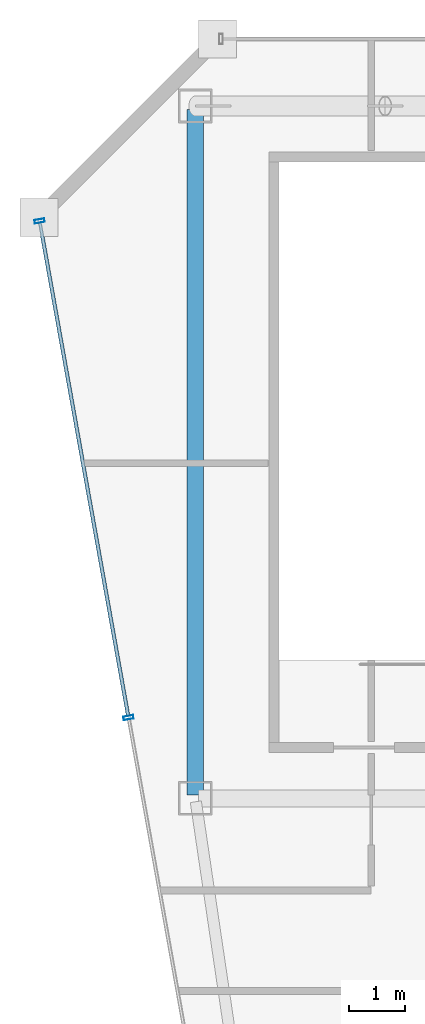
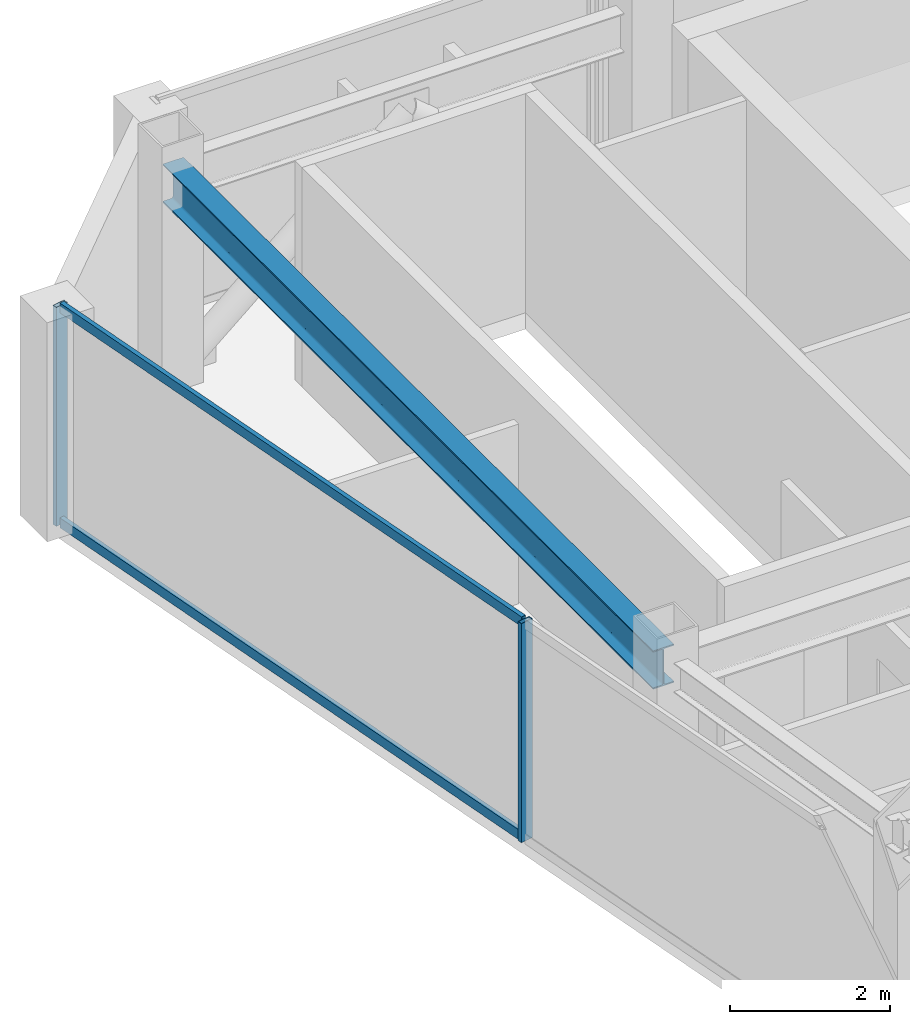
# One storey, part 8 of 30: 4 members, 1 beam, 1 element without a shape of its own.
"""IFC4 building model written with IfcOpenShell, lengths in metres."""

import ifcopenshell
import ifcopenshell.guid

model = None  # the IFC model being written
_history = None  # IfcOwnerHistory: only IFC2X3 demands one
_inside = {}  # id of a spatial element -> (the spatial element, [elements in it])
_under = {}  # id of a project, library or spatial element -> (it, [spatial elements below it])
_declared = {}  # id of a project -> (the project, [libraries it declares])
_typed = {}  # id of a type object -> (the type object, [elements of that type])
_made_of = {}  # id of a material, layer set ... -> (it, [elements and type objects made of it])


def new_model(schema):
    """Start an empty IFC model of exactly this schema.

    Asked for "IFC4X3", IfcOpenShell would pick the latest addendum, in which some entities
    have other attributes; the version numbers below select the first issue.
    IFC2X3 requires an IfcOwnerHistory on every rooted entity: one is made here for all.
    """
    global model, _history
    if schema == "IFC4X3":
        model = ifcopenshell.file(schema_version=(4, 3, 0, 0))
    else:
        model = ifcopenshell.file(schema=schema)
    _inside.clear()
    _under.clear()
    _declared.clear()
    _typed.clear()
    _made_of.clear()
    _history = None
    if model.schema == "IFC2X3":
        org = make("IfcOrganization", Name="unknown")
        user = make(
            "IfcPersonAndOrganization",
            ThePerson=make("IfcPerson", FamilyName="unknown"),
            TheOrganization=org,
        )
        app = make(
            "IfcApplication",
            ApplicationDeveloper=org,
            Version="unknown",
            ApplicationFullName="unknown",
            ApplicationIdentifier="unknown",
        )
        _history = make(
            "IfcOwnerHistory",
            OwningUser=user,
            OwningApplication=app,
            ChangeAction="ADDED",
            CreationDate=0,
        )
    return model


def make(cls, **values):
    """One entity of the class cls with the attributes given. An attribute that is None is left unset."""
    return model.create_entity(
        cls, **{name: value for name, value in values.items() if value is not None}
    )


def rooted(cls, **values):
    """An entity with a GlobalId (a new one), such as an element, a storey or a relation."""
    return make(cls, GlobalId=ifcopenshell.guid.new(), OwnerHistory=_history, **values)


def si_unit(unit_type, name, prefix=None):
    """IfcSIUnit, for example si_unit("LENGTHUNIT", "METRE", prefix="MILLI")."""
    return make("IfcSIUnit", UnitType=unit_type, Prefix=prefix, Name=name)


def assignment(units):
    """IfcUnitAssignment: the units of a project."""
    return None if units is None else make("IfcUnitAssignment", Units=units)


def point(xyz):
    """IfcCartesianPoint."""
    return None if xyz is None else make("IfcCartesianPoint", Coordinates=xyz)


def direction(xyz):
    """IfcDirection."""
    return None if xyz is None else make("IfcDirection", DirectionRatios=xyz)


def frame(location, z_axis=None, x_axis=None):
    """IfcAxis2Placement3D, a coordinate frame: its origin and axes. An axis left out is left unset."""
    return make(
        "IfcAxis2Placement3D",
        Location=point(location),
        Axis=direction(z_axis),
        RefDirection=direction(x_axis),
    )


def frame_2d(location, x_axis=None):
    """IfcAxis2Placement2D, a coordinate frame in the plane: its origin and x axis."""
    return make(
        "IfcAxis2Placement2D", Location=point(location), RefDirection=direction(x_axis)
    )


def origin():
    """The frame at (0, 0, 0) with its axes left unset."""
    return frame((0.0, 0.0, 0.0))


def origin_2d():
    """The frame at (0, 0) in the plane with its x axis left unset."""
    return frame_2d((0.0, 0.0))


def place(relative_to, where):
    """IfcLocalPlacement: puts the frame where relative to a parent placement (None: the world)."""
    return make(
        "IfcLocalPlacement", PlacementRelTo=relative_to, RelativePlacement=where
    )


def context(
    kind, dimensions, precision=None, world=None, true_north=None, identifier=None
):
    """IfcGeometricRepresentationContext, for example the 3D "Model" context."""
    return make(
        "IfcGeometricRepresentationContext",
        ContextIdentifier=identifier,
        ContextType=kind,
        CoordinateSpaceDimension=dimensions,
        Precision=precision,
        WorldCoordinateSystem=world,
        TrueNorth=true_north,
    )


def subcontext(parent, identifier, kind, view, scale=None):
    """IfcGeometricRepresentationSubContext, for example "Body" below "Model"."""
    return make(
        "IfcGeometricRepresentationSubContext",
        ContextIdentifier=identifier,
        ContextType=kind,
        ParentContext=parent,
        TargetScale=scale,
        TargetView=view,
    )


def project(units=None, contexts=None):
    """IfcProject with its units and contexts."""
    return rooted(
        "IfcProject",
        Name="project",
        RepresentationContexts=contexts,
        UnitsInContext=assignment(units),
    )


def spatial(cls, under=None, at=None, **own):
    """A site, building, storey or space (cls), placed at a placement, below another one or the project."""
    s = rooted(cls, ObjectPlacement=at, **own)
    if under is not None:
        _under.setdefault(under.id(), (under, []))[1].append(s)
    return s


def profile(cls, at=None, kind="AREA", **sizes):
    """A parametric profile (cls). Its sizes go by their IFC names, for example OverallWidth=200.0."""
    return make(cls, ProfileType=kind, Position=at, **sizes)


def hollow_rectangle(**sizes):
    """IfcRectangleHollowProfileDef."""
    return profile("IfcRectangleHollowProfileDef", **sizes)


def i_section(**sizes):
    """IfcIShapeProfileDef."""
    return profile("IfcIShapeProfileDef", **sizes)


def extrude(swept, where, along, depth):
    """IfcExtrudedAreaSolid: the profile swept, set in the frame where, extruded along a direction by depth."""
    return make(
        "IfcExtrudedAreaSolid",
        SweptArea=swept,
        Position=where,
        ExtrudedDirection=direction(along),
        Depth=depth,
    )


def shape(context_of_items, identifier, shape_type, items):
    """IfcShapeRepresentation: the items that make up one representation, for example the "Body"."""
    return make(
        "IfcShapeRepresentation",
        ContextOfItems=context_of_items,
        RepresentationIdentifier=identifier,
        RepresentationType=shape_type,
        Items=items,
    )


def material(Name=None, Category=None):
    """IfcMaterial."""
    return make("IfcMaterial", Name=Name, Category=Category)


def material_profile(
    of_material, cross_section, Name=None, Category=None, Priority=None
):
    """IfcMaterialProfile: a cross section and its material."""
    return make(
        "IfcMaterialProfile",
        Name=Name,
        Material=of_material,
        Profile=cross_section,
        Priority=Priority,
        Category=Category,
    )


def profile_set(profiles, Name=None, composite=None):
    """IfcMaterialProfileSet."""
    return make(
        "IfcMaterialProfileSet",
        Name=Name,
        MaterialProfiles=profiles,
        CompositeProfile=composite,
    )


def made_of(thing, what):
    """Note that an element or type object is made of a material, layer set ...; save() writes the relation."""
    if what is not None:
        _made_of.setdefault(what.id(), (what, []))[1].append(thing)
    return thing


def type_object(cls, material=None, **own):
    """A type object (cls), such as IfcWallType, which elements share."""
    return made_of(rooted(cls, **own), material)


def element(
    cls,
    number,
    at=None,
    inside=None,
    cuts=None,
    type_object=None,
    material=None,
    context=None,
    identifier="Body",
    shape_type=None,
    held_by="IfcProductDefinitionShape",
    body=None,
    shapes=None,
    **own,
):
    """One element of the class cls, such as IfcWall. Its Tag is "e" and its number.

    at: its placement. inside: the storey or other place that contains it. cuts: it is an
    opening in that element (IfcRelVoidsElement). A single representation is given by context,
    identifier, shape_type and body (its items); several are given by shapes. held_by: the class
    of the entity that holds the representations. save() writes the other relations.
    """
    e = rooted(cls, Tag="e%d" % number, ObjectPlacement=at, **own)
    if body is not None:
        shapes = [shape(context, identifier, shape_type, body)]
    if shapes is not None:
        e.Representation = make(held_by, Representations=shapes)
    if inside is not None:
        _inside.setdefault(inside.id(), (inside, []))[1].append(e)
    if cuts is not None:
        rooted(
            "IfcRelVoidsElement", RelatingBuildingElement=cuts, RelatedOpeningElement=e
        )
    if type_object is not None:
        _typed.setdefault(type_object.id(), (type_object, []))[1].append(e)
    return made_of(e, material)


def aggregate(whole, parts):
    """IfcRelAggregates: a whole, such as a stair, and the parts it consists of."""
    return rooted("IfcRelAggregates", RelatingObject=whole, RelatedObjects=parts)


def save(model, path):
    """Write the relations noted so far, then the file.

    IfcRelAggregates (storeys below a building ...), IfcRelContainedInSpatialStructure (elements
    in a storey), IfcRelDefinesByType, IfcRelAssociatesMaterial and IfcRelDeclares: one each for
    every whole, place, type object, material and project.
    """
    for whole, parts in _under.values():
        aggregate(whole, parts)
    for where, things in _inside.values():
        rooted(
            "IfcRelContainedInSpatialStructure",
            RelatedElements=things,
            RelatingStructure=where,
        )
    for kind, things in _typed.values():
        rooted("IfcRelDefinesByType", RelatedObjects=things, RelatingType=kind)
    for what, things in _made_of.values():
        rooted("IfcRelAssociatesMaterial", RelatedObjects=things, RelatingMaterial=what)
    for by, libraries in _declared.values():
        rooted("IfcRelDeclares", RelatingContext=by, RelatedDefinitions=libraries)
    model.write(path)


model = new_model("IFC4")

# Units and contexts
model_context = context("Model", 3, precision=1e-05, world=origin(), true_north=direction((0.0, 1.0)))
body_context = subcontext(model_context, "Body", "Model", "MODEL_VIEW")
ifc_project = project(units=[si_unit("LENGTHUNIT", "METRE"), si_unit("AREAUNIT", "SQUARE_METRE"), si_unit("VOLUMEUNIT", "CUBIC_METRE"), si_unit("PLANEANGLEUNIT", "RADIAN"), si_unit("MASSUNIT", "GRAM", prefix="KILO")], contexts=[model_context])

# Site, building, storey
site_placement = place(None, origin())
site = spatial("IfcSite", under=ifc_project, at=site_placement, CompositionType="ELEMENT")
building_placement = place(site_placement, origin())
building = spatial("IfcBuilding", under=site, at=building_placement, Name="Saevonmaru Cultural Tower", CompositionType="ELEMENT")
storey_placement = place(building_placement, frame((0.0, 0.0, 272.39990234375)))
storey = spatial("IfcBuildingStorey", under=building, at=storey_placement, Name="L64", CompositionType="ELEMENT", Elevation=272.39990234375)

# Beam
ifc_material_1 = material(Name="Steel SM355", Category="steel")
ifc_material_profile_1 = material_profile(ifc_material_1, i_section(OverallWidth=0.300048828125, OverallDepth=0.587890625, WebThickness=0.011962890625, FlangeThickness=0.02001953125, FilletRadius=0.02392578125, at=origin_2d()), Name="H-588x300x12x20")
ifc_profile_set_1 = profile_set([ifc_material_profile_1], Name="Steel SM355")
beam_type = type_object("IfcBeamType", Name="BM-G-H588", PredefinedType="BEAM", material=ifc_profile_set_1)
beam_placement = place(storey_placement, frame((6.800048828125, 54.739990234375, 3.05615234375), z_axis=(0.0, -1.0, 0.0), x_axis=(1.0, 0.0, 0.0)))
element("IfcBeam", 1, at=beam_placement, inside=storey, type_object=beam_type, Name="L64 Spine Transverse Girder W", PredefinedType="BEAM", context=body_context, shape_type="SweptSolid", body=[
    extrude(i_section(OverallWidth=0.300048828125, OverallDepth=0.587890625, WebThickness=0.011962890625, FlangeThickness=0.02001953125, FilletRadius=0.02392578125, at=origin_2d()), origin(), (0.0, 0.0, 1.0), 12.280029296875),
])

# Curtain wall, members
ifc_material_2 = material(Name="Satin Bronze Anodised Aluminium", Category="aluminium")
curtain_wall_type = type_object("IfcCurtainWallType", Name="CW-TYP-B", PredefinedType="NOTDEFINED", material=ifc_material_2)
curtain_wall_placement = place(storey_placement, origin())
curtain_wall = element("IfcCurtainWall", 2, at=curtain_wall_placement, inside=storey, type_object=curtain_wall_type, Name="L64 Unitised Curtain Wall E12", PredefinedType="NOTDEFINED")
ifc_material_profile_2 = material_profile(ifc_material_2, hollow_rectangle(XDim=0.06494140625, YDim=0.179931640625, WallThickness=0.00390625, at=origin_2d()), Name="ALU-MULL-180x65x4")
ifc_profile_set_2 = profile_set([ifc_material_profile_2], Name="Satin Bronze Anodised Aluminium")
member_type_1 = type_object("IfcMemberType", Name="ML-CW-180x65", PredefinedType="MULLION", material=ifc_profile_set_2)
member_1_placement = place(storey_placement, frame((4.010498046875, 52.740966796875, 0.0), z_axis=(0.0, 0.0, 1.0), x_axis=(0.176140740755, -0.984364993001, 0.0)))
member_1 = element("IfcMember", 3, at=member_1_placement, type_object=member_type_1, Name="CW-TW-L64-E12 mullion 1", PredefinedType="MULLION", context=body_context, shape_type="SweptSolid", body=[
    extrude(hollow_rectangle(XDim=0.06494140625, YDim=0.179931640625, WallThickness=0.00390625, at=origin_2d()), origin(), (0.0, 0.0, 1.0), 3.35009765625),
])
member_2_placement = place(storey_placement, frame((5.60205078125, 43.846923828125, 0.0), z_axis=(0.0, 0.0, 1.0), x_axis=(0.176140740755, -0.984364993001, 0.0)))
member_2 = element("IfcMember", 4, at=member_2_placement, type_object=member_type_1, Name="CW-TW-L64-E12 mullion 2", PredefinedType="MULLION", context=body_context, shape_type="SweptSolid", body=[
    extrude(hollow_rectangle(XDim=0.06494140625, YDim=0.179931640625, WallThickness=0.00390625, at=origin_2d()), origin(), (0.0, 0.0, 1.0), 3.35009765625),
])
ifc_material_profile_3 = material_profile(ifc_material_2, hollow_rectangle(XDim=0.06494140625, YDim=0.14990234375, WallThickness=0.00390625, at=origin_2d()), Name="ALU-TRAN-150x65x4")
ifc_profile_set_3 = profile_set([ifc_material_profile_3], Name="Satin Bronze Anodised Aluminium")
member_type_2 = type_object("IfcMemberType", Name="TR-CW-150x65", PredefinedType="USERDEFINED", material=ifc_profile_set_3)
member_3_placement = place(storey_placement, frame((4.016357421875, 52.708984375, 0.03271484375), z_axis=(0.176144810911, -0.984364264685, 0.0), x_axis=(0.984364264685, 0.176144810911, 0.0)))
member_3 = element("IfcMember", 5, at=member_3_placement, type_object=member_type_2, Name="CW-TW-L64-E12 transom 1.1", ObjectType="TRANSOM", PredefinedType="USERDEFINED", context=body_context, shape_type="SweptSolid", body=[
    extrude(hollow_rectangle(XDim=0.06494140625, YDim=0.14990234375, WallThickness=0.00390625, at=origin_2d()), origin(), (0.0, 0.0, 1.0), 8.97021484375),
])
member_4_placement = place(storey_placement, frame((4.016357421875, 52.708984375, 3.317626953125), z_axis=(0.176144810911, -0.984364264685, 0.0), x_axis=(0.984364264685, 0.176144810911, 0.0)))
member_4 = element("IfcMember", 6, at=member_4_placement, type_object=member_type_2, Name="CW-TW-L64-E12 transom 1.2", ObjectType="TRANSOM", PredefinedType="USERDEFINED", context=body_context, shape_type="SweptSolid", body=[
    extrude(hollow_rectangle(XDim=0.06494140625, YDim=0.14990234375, WallThickness=0.00390625, at=origin_2d()), origin(), (0.0, 0.0, 1.0), 8.97021484375),
])
aggregate(curtain_wall, [member_1, member_2, member_3, member_4])

save(model, "model.ifc")
